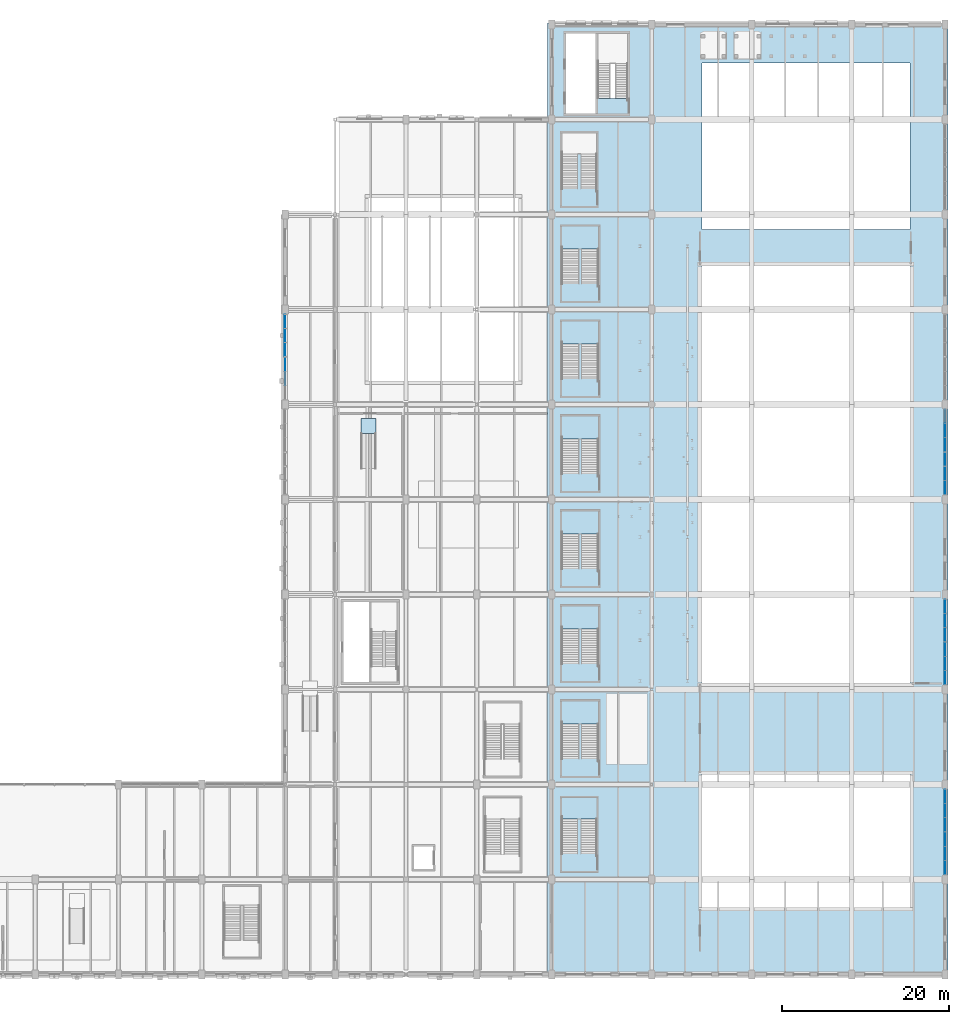
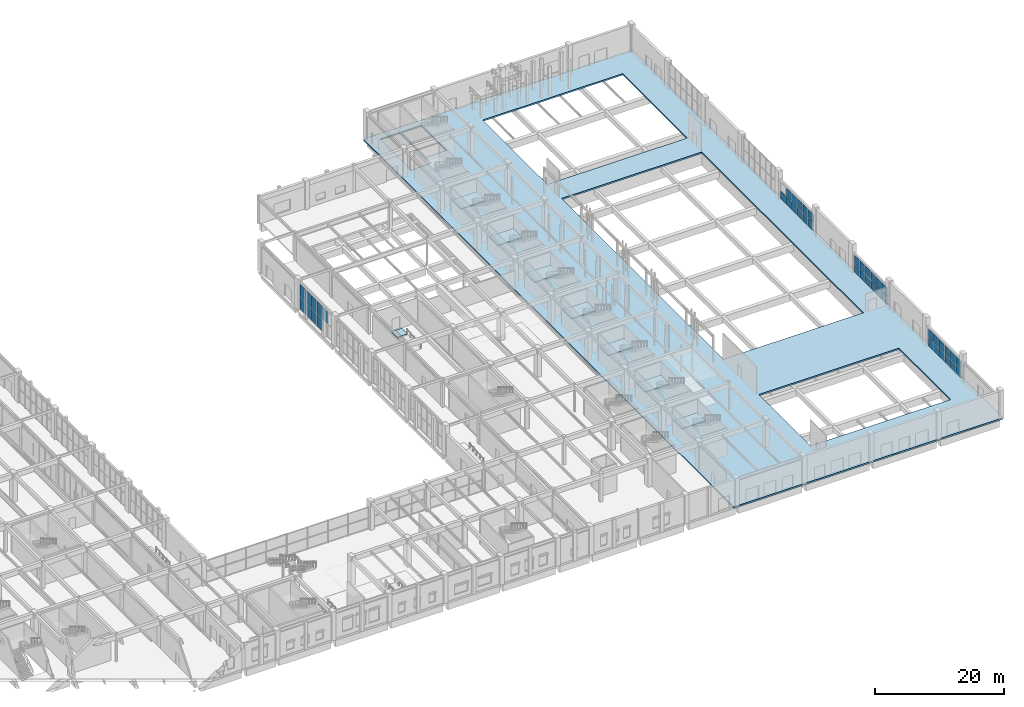
# One storey, part 77 of 113: 44 plates, 9 slabs, 15 elements without a shape of their own.
"""IFC4 building model written with IfcOpenShell, lengths in metres."""

import ifcopenshell
import ifcopenshell.guid

model = None  # the IFC model being written
_history = None  # IfcOwnerHistory: only IFC2X3 demands one
_inside = {}  # id of a spatial element -> (the spatial element, [elements in it])
_under = {}  # id of a project, library or spatial element -> (it, [spatial elements below it])
_declared = {}  # id of a project -> (the project, [libraries it declares])
_typed = {}  # id of a type object -> (the type object, [elements of that type])
_made_of = {}  # id of a material, layer set ... -> (it, [elements and type objects made of it])


def new_model(schema):
    """Start an empty IFC model of exactly this schema.

    Asked for "IFC4X3", IfcOpenShell would pick the latest addendum, in which some entities
    have other attributes; the version numbers below select the first issue.
    IFC2X3 requires an IfcOwnerHistory on every rooted entity: one is made here for all.
    """
    global model, _history
    if schema == "IFC4X3":
        model = ifcopenshell.file(schema_version=(4, 3, 0, 0))
    else:
        model = ifcopenshell.file(schema=schema)
    _inside.clear()
    _under.clear()
    _declared.clear()
    _typed.clear()
    _made_of.clear()
    _history = None
    if model.schema == "IFC2X3":
        org = make("IfcOrganization", Name="unknown")
        user = make(
            "IfcPersonAndOrganization",
            ThePerson=make("IfcPerson", FamilyName="unknown"),
            TheOrganization=org,
        )
        app = make(
            "IfcApplication",
            ApplicationDeveloper=org,
            Version="unknown",
            ApplicationFullName="unknown",
            ApplicationIdentifier="unknown",
        )
        _history = make(
            "IfcOwnerHistory",
            OwningUser=user,
            OwningApplication=app,
            ChangeAction="ADDED",
            CreationDate=0,
        )
    return model


def make(cls, **values):
    """One entity of the class cls with the attributes given. An attribute that is None is left unset."""
    return model.create_entity(
        cls, **{name: value for name, value in values.items() if value is not None}
    )


def rooted(cls, **values):
    """An entity with a GlobalId (a new one), such as an element, a storey or a relation."""
    return make(cls, GlobalId=ifcopenshell.guid.new(), OwnerHistory=_history, **values)


def si_unit(unit_type, name, prefix=None):
    """IfcSIUnit, for example si_unit("LENGTHUNIT", "METRE", prefix="MILLI")."""
    return make("IfcSIUnit", UnitType=unit_type, Prefix=prefix, Name=name)


def assignment(units):
    """IfcUnitAssignment: the units of a project."""
    return None if units is None else make("IfcUnitAssignment", Units=units)


def point(xyz):
    """IfcCartesianPoint."""
    return None if xyz is None else make("IfcCartesianPoint", Coordinates=xyz)


def direction(xyz):
    """IfcDirection."""
    return None if xyz is None else make("IfcDirection", DirectionRatios=xyz)


def frame(location, z_axis=None, x_axis=None):
    """IfcAxis2Placement3D, a coordinate frame: its origin and axes. An axis left out is left unset."""
    return make(
        "IfcAxis2Placement3D",
        Location=point(location),
        Axis=direction(z_axis),
        RefDirection=direction(x_axis),
    )


def frame_2d(location, x_axis=None):
    """IfcAxis2Placement2D, a coordinate frame in the plane: its origin and x axis."""
    return make(
        "IfcAxis2Placement2D", Location=point(location), RefDirection=direction(x_axis)
    )


def origin():
    """The frame at (0, 0, 0) with its axes left unset."""
    return frame((0.0, 0.0, 0.0))


def origin_2d():
    """The frame at (0, 0) in the plane with its x axis left unset."""
    return frame_2d((0.0, 0.0))


def place(relative_to, where):
    """IfcLocalPlacement: puts the frame where relative to a parent placement (None: the world)."""
    return make(
        "IfcLocalPlacement", PlacementRelTo=relative_to, RelativePlacement=where
    )


def context(
    kind, dimensions, precision=None, world=None, true_north=None, identifier=None
):
    """IfcGeometricRepresentationContext, for example the 3D "Model" context."""
    return make(
        "IfcGeometricRepresentationContext",
        ContextIdentifier=identifier,
        ContextType=kind,
        CoordinateSpaceDimension=dimensions,
        Precision=precision,
        WorldCoordinateSystem=world,
        TrueNorth=true_north,
    )


def subcontext(parent, identifier, kind, view, scale=None):
    """IfcGeometricRepresentationSubContext, for example "Body" below "Model"."""
    return make(
        "IfcGeometricRepresentationSubContext",
        ContextIdentifier=identifier,
        ContextType=kind,
        ParentContext=parent,
        TargetScale=scale,
        TargetView=view,
    )


def project(units=None, contexts=None):
    """IfcProject with its units and contexts."""
    return rooted(
        "IfcProject",
        Name="project",
        RepresentationContexts=contexts,
        UnitsInContext=assignment(units),
    )


def spatial(cls, under=None, at=None, **own):
    """A site, building, storey or space (cls), placed at a placement, below another one or the project."""
    s = rooted(cls, ObjectPlacement=at, **own)
    if under is not None:
        _under.setdefault(under.id(), (under, []))[1].append(s)
    return s


def polyline(points):
    """IfcPolyline through the points."""
    return make("IfcPolyline", Points=[point(p) for p in points])


def profile(cls, at=None, kind="AREA", **sizes):
    """A parametric profile (cls). Its sizes go by their IFC names, for example OverallWidth=200.0."""
    return make(cls, ProfileType=kind, Position=at, **sizes)


def rectangle(**sizes):
    """IfcRectangleProfileDef."""
    return profile("IfcRectangleProfileDef", **sizes)


def outline(outer, holes=None, kind="AREA"):
    """IfcArbitraryClosedProfileDef: a profile drawn as a closed curve; with holes, ...WithVoids."""
    if holes is None:
        return make("IfcArbitraryClosedProfileDef", ProfileType=kind, OuterCurve=outer)
    return make(
        "IfcArbitraryProfileDefWithVoids",
        ProfileType=kind,
        OuterCurve=outer,
        InnerCurves=holes,
    )


def extrude(swept, where, along, depth):
    """IfcExtrudedAreaSolid: the profile swept, set in the frame where, extruded along a direction by depth."""
    return make(
        "IfcExtrudedAreaSolid",
        SweptArea=swept,
        Position=where,
        ExtrudedDirection=direction(along),
        Depth=depth,
    )


def shape(context_of_items, identifier, shape_type, items):
    """IfcShapeRepresentation: the items that make up one representation, for example the "Body"."""
    return make(
        "IfcShapeRepresentation",
        ContextOfItems=context_of_items,
        RepresentationIdentifier=identifier,
        RepresentationType=shape_type,
        Items=items,
    )


def material(Name=None, Category=None):
    """IfcMaterial."""
    return make("IfcMaterial", Name=Name, Category=Category)


def layer(
    of_material, thickness, ventilated=None, Name=None, Category=None, Priority=None
):
    """IfcMaterialLayer: one layer of a wall or slab, of a material (None: an air gap)."""
    return make(
        "IfcMaterialLayer",
        Material=of_material,
        LayerThickness=thickness,
        IsVentilated=ventilated,
        Name=Name,
        Category=Category,
        Priority=Priority,
    )


def layer_set(layers, Name=None):
    """IfcMaterialLayerSet."""
    return make("IfcMaterialLayerSet", MaterialLayers=layers, LayerSetName=Name)


def made_of(thing, what):
    """Note that an element or type object is made of a material, layer set ...; save() writes the relation."""
    if what is not None:
        _made_of.setdefault(what.id(), (what, []))[1].append(thing)
    return thing


def type_object(cls, material=None, **own):
    """A type object (cls), such as IfcWallType, which elements share."""
    return made_of(rooted(cls, **own), material)


def element(
    cls,
    number,
    at=None,
    inside=None,
    cuts=None,
    type_object=None,
    material=None,
    context=None,
    identifier="Body",
    shape_type=None,
    held_by="IfcProductDefinitionShape",
    body=None,
    shapes=None,
    **own,
):
    """One element of the class cls, such as IfcWall. Its Tag is "e" and its number.

    at: its placement. inside: the storey or other place that contains it. cuts: it is an
    opening in that element (IfcRelVoidsElement). A single representation is given by context,
    identifier, shape_type and body (its items); several are given by shapes. held_by: the class
    of the entity that holds the representations. save() writes the other relations.
    """
    e = rooted(cls, Tag="e%d" % number, ObjectPlacement=at, **own)
    if body is not None:
        shapes = [shape(context, identifier, shape_type, body)]
    if shapes is not None:
        e.Representation = make(held_by, Representations=shapes)
    if inside is not None:
        _inside.setdefault(inside.id(), (inside, []))[1].append(e)
    if cuts is not None:
        rooted(
            "IfcRelVoidsElement", RelatingBuildingElement=cuts, RelatedOpeningElement=e
        )
    if type_object is not None:
        _typed.setdefault(type_object.id(), (type_object, []))[1].append(e)
    return made_of(e, material)


def aggregate(whole, parts):
    """IfcRelAggregates: a whole, such as a stair, and the parts it consists of."""
    return rooted("IfcRelAggregates", RelatingObject=whole, RelatedObjects=parts)


def save(model, path):
    """Write the relations noted so far, then the file.

    IfcRelAggregates (storeys below a building ...), IfcRelContainedInSpatialStructure (elements
    in a storey), IfcRelDefinesByType, IfcRelAssociatesMaterial and IfcRelDeclares: one each for
    every whole, place, type object, material and project.
    """
    for whole, parts in _under.values():
        aggregate(whole, parts)
    for where, things in _inside.values():
        rooted(
            "IfcRelContainedInSpatialStructure",
            RelatedElements=things,
            RelatingStructure=where,
        )
    for kind, things in _typed.values():
        rooted("IfcRelDefinesByType", RelatedObjects=things, RelatingType=kind)
    for what, things in _made_of.values():
        rooted("IfcRelAssociatesMaterial", RelatedObjects=things, RelatingMaterial=what)
    for by, libraries in _declared.values():
        rooted("IfcRelDeclares", RelatingContext=by, RelatedDefinitions=libraries)
    model.write(path)


model = new_model("IFC4")

# Units and contexts
model_context = context("Model", 3, precision=1e-05, world=origin(), true_north=direction((0.0, 1.0)))
body_context = subcontext(model_context, "Body", "Model", "MODEL_VIEW")
ifc_project = project(units=[si_unit("LENGTHUNIT", "METRE"), si_unit("AREAUNIT", "SQUARE_METRE"), si_unit("VOLUMEUNIT", "CUBIC_METRE"), si_unit("PLANEANGLEUNIT", "RADIAN"), si_unit("MASSUNIT", "GRAM", prefix="KILO"), si_unit("POWERUNIT", "WATT"), si_unit("THERMODYNAMICTEMPERATUREUNIT", "KELVIN")], contexts=[model_context])

# Site, building, storey
site_placement = place(None, origin())
site = spatial("IfcSite", under=ifc_project, at=site_placement, CompositionType="ELEMENT")
building_placement = place(site_placement, origin())
building = spatial("IfcBuilding", under=site, at=building_placement, Name="Kelmbourne Parkland Aquatics Centre", CompositionType="ELEMENT")
storey_placement = place(building_placement, origin())
storey = spatial("IfcBuildingStorey", under=building, at=storey_placement, Name="L00", CompositionType="ELEMENT", Elevation=0.0)

# Curtain wall, plates
ifc_material_1 = material(Name="Thermally broken anodised aluminium framing", Category="aluminium")
ifc_layer_1 = layer(ifc_material_1, 0.179931640625)
ifc_layer_set_1 = layer_set([ifc_layer_1], Name="Thermally broken anodised aluminium framing")
curtain_wall_type_1 = type_object("IfcCurtainWallType", Name="CW-15", PredefinedType="NOTDEFINED", material=ifc_layer_set_1)
curtain_wall_1_placement = place(storey_placement, origin())
curtain_wall_1 = element("IfcCurtainWall", 1, at=curtain_wall_1_placement, inside=storey, type_object=curtain_wall_type_1, Name="Facade curtain wall CW-L00-015", PredefinedType="NOTDEFINED")
ifc_material_2 = material(Name="Double-glazed low-e laminated safety glass", Category="glass")
ifc_layer_2 = layer(ifc_material_2, 0.02392578125)
ifc_layer_set_2 = layer_set([ifc_layer_2], Name="Double-glazed low-e laminated safety glass")
plate_type_1 = type_object("IfcPlateType", Name="PL-CWP-1", PredefinedType="CURTAIN_PANEL", material=ifc_layer_set_2)
plate_1_placement = place(storey_placement, frame((175.199951171875, 13.631591796875, 0.11669921875), z_axis=(0.0, 0.0, 1.0), x_axis=(0.0, 1.0, 0.0)))
plate_1 = element("IfcPlate", 2, at=plate_1_placement, type_object=plate_type_1, Name="CW-L00-015 vision glazing 0-0", PredefinedType="CURTAIN_PANEL", context=body_context, shape_type="SweptSolid", body=[
    extrude(rectangle(XDim=1.641357421875, YDim=0.02392578125, at=origin_2d()), origin(), (0.0, 0.0, 1.0), 1.571533203125),
])
plate_2_placement = place(storey_placement, frame((175.199951171875, 15.325927734375, 0.11669921875), z_axis=(0.0, 0.0, 1.0), x_axis=(0.0, 1.0, 0.0)))
plate_2 = element("IfcPlate", 3, at=plate_2_placement, type_object=plate_type_1, Name="CW-L00-015 vision glazing 0-1", PredefinedType="CURTAIN_PANEL", context=body_context, shape_type="SweptSolid", body=[
    extrude(rectangle(XDim=1.641357421875, YDim=0.02392578125, at=origin_2d()), origin(), (0.0, 0.0, 1.0), 1.571533203125),
])
plate_3_placement = place(storey_placement, frame((175.199951171875, 17.0205078125, 0.11669921875), z_axis=(0.0, 0.0, 1.0), x_axis=(0.0, 1.0, 0.0)))
plate_3 = element("IfcPlate", 4, at=plate_3_placement, type_object=plate_type_1, Name="CW-L00-015 vision glazing 0-2", PredefinedType="CURTAIN_PANEL", context=body_context, shape_type="SweptSolid", body=[
    extrude(rectangle(XDim=1.641357421875, YDim=0.02392578125, at=origin_2d()), origin(), (0.0, 0.0, 1.0), 1.571533203125),
])

ifc_layer_3 = layer(ifc_material_1, 0.179931640625)
ifc_layer_set_3 = layer_set([ifc_layer_3], Name="Thermally broken anodised aluminium framing")
curtain_wall_type_2 = type_object("IfcCurtainWallType", Name="CW-14", PredefinedType="NOTDEFINED", material=ifc_layer_set_3)
curtain_wall_2_placement = place(storey_placement, origin())
curtain_wall_2 = element("IfcCurtainWall", 5, at=curtain_wall_2_placement, inside=storey, type_object=curtain_wall_type_2, Name="Facade curtain wall CW-L00-038", PredefinedType="NOTDEFINED")
plate_4_placement = place(storey_placement, frame((175.199951171875, 41.589599609375, 1.8388671875), z_axis=(0.0, 0.0, 1.0), x_axis=(0.0, 1.0, 0.0)))
plate_4 = element("IfcPlate", 6, at=plate_4_placement, type_object=plate_type_1, Name="CW-L00-038 vision glazing 1-0", PredefinedType="CURTAIN_PANEL", context=body_context, shape_type="SweptSolid", body=[
    extrude(rectangle(XDim=1.601318359375, YDim=0.02392578125, at=origin_2d()), origin(), (0.0, 0.0, 1.0), 1.493896484375),
])
plate_5_placement = place(storey_placement, frame((175.199951171875, 43.27392578125, 1.8388671875), z_axis=(0.0, 0.0, 1.0), x_axis=(0.0, 1.0, 0.0)))
plate_5 = element("IfcPlate", 7, at=plate_5_placement, type_object=plate_type_1, Name="CW-L00-038 vision glazing 1-1", PredefinedType="CURTAIN_PANEL", context=body_context, shape_type="SweptSolid", body=[
    extrude(rectangle(XDim=1.601318359375, YDim=0.02392578125, at=origin_2d()), origin(), (0.0, 0.0, 1.0), 1.493896484375),
])
plate_6_placement = place(storey_placement, frame((175.199951171875, 44.95849609375, 1.8388671875), z_axis=(0.0, 0.0, 1.0), x_axis=(0.0, 1.0, 0.0)))
plate_6 = element("IfcPlate", 8, at=plate_6_placement, type_object=plate_type_1, Name="CW-L00-038 vision glazing 1-2", PredefinedType="CURTAIN_PANEL", context=body_context, shape_type="SweptSolid", body=[
    extrude(rectangle(XDim=1.601318359375, YDim=0.02392578125, at=origin_2d()), origin(), (0.0, 0.0, 1.0), 1.493896484375),
])

ifc_layer_4 = layer(ifc_material_1, 0.179931640625)
ifc_layer_set_4 = layer_set([ifc_layer_4], Name="Thermally broken anodised aluminium framing")
curtain_wall_type_3 = type_object("IfcCurtainWallType", Name="CW-02", PredefinedType="NOTDEFINED", material=ifc_layer_set_4)
curtain_wall_3_placement = place(storey_placement, origin())
curtain_wall_3 = element("IfcCurtainWall", 9, at=curtain_wall_3_placement, inside=storey, type_object=curtain_wall_type_3, Name="Facade curtain wall CW-L00-050", PredefinedType="NOTDEFINED")
plate_7_placement = place(storey_placement, frame((175.199951171875, 64.379638671875, 1.82666015625), z_axis=(0.0, 0.0, 1.0), x_axis=(0.0, 1.0, 0.0)))
plate_7 = element("IfcPlate", 10, at=plate_7_placement, type_object=plate_type_1, Name="CW-L00-050 vision glazing 1-0", PredefinedType="CURTAIN_PANEL", context=body_context, shape_type="SweptSolid", body=[
    extrude(rectangle(XDim=1.641357421875, YDim=0.02392578125, at=origin_2d()), origin(), (0.0, 0.0, 1.0), 1.4814453125),
])
plate_8_placement = place(storey_placement, frame((175.199951171875, 66.073974609375, 1.82666015625), z_axis=(0.0, 0.0, 1.0), x_axis=(0.0, 1.0, 0.0)))
plate_8 = element("IfcPlate", 11, at=plate_8_placement, type_object=plate_type_1, Name="CW-L00-050 vision glazing 1-1", PredefinedType="CURTAIN_PANEL", context=body_context, shape_type="SweptSolid", body=[
    extrude(rectangle(XDim=1.641357421875, YDim=0.02392578125, at=origin_2d()), origin(), (0.0, 0.0, 1.0), 1.4814453125),
])

# Curtain wall, plate
ifc_layer_5 = layer(ifc_material_1, 0.179931640625)
ifc_layer_set_5 = layer_set([ifc_layer_5], Name="Thermally broken anodised aluminium framing")
curtain_wall_type_4 = type_object("IfcCurtainWallType", Name="CW-18", PredefinedType="NOTDEFINED", material=ifc_layer_set_5)
curtain_wall_4_placement = place(storey_placement, origin())
curtain_wall_4 = element("IfcCurtainWall", 12, at=curtain_wall_4_placement, inside=storey, type_object=curtain_wall_type_4, Name="Facade curtain wall CW-L00-186", PredefinedType="NOTDEFINED")
plate_9_placement = place(storey_placement, frame((96.0, 74.01708984375, 0.1171875), z_axis=(0.0, 0.0, 1.0), x_axis=(0.0, 1.0, 0.0)))
plate_9 = element("IfcPlate", 13, at=plate_9_placement, type_object=plate_type_1, Name="CW-L00-186 vision glazing 0-2", PredefinedType="CURTAIN_PANEL", context=body_context, shape_type="SweptSolid", body=[
    extrude(rectangle(XDim=1.6279296875, YDim=0.02392578125, at=origin_2d()), origin(), (0.0, 0.0, 1.0), 2.304931640625),
])

# Plate
ifc_layer_6 = layer(ifc_material_2, 0.035888671875)
ifc_layer_set_6 = layer_set([ifc_layer_6], Name="Double-glazed low-e laminated safety glass")
plate_type_2 = type_object("IfcPlateType", Name="PL-CWP-2", PredefinedType="CURTAIN_PANEL", material=ifc_layer_set_6)
plate_10_placement = place(storey_placement, frame((175.199951171875, 13.631591796875, 1.79638671875), z_axis=(0.0, 0.0, 1.0), x_axis=(0.0, 1.0, 0.0)))
plate_10 = element("IfcPlate", 14, at=plate_10_placement, type_object=plate_type_2, Name="CW-L00-015 vision glazing 1-0", PredefinedType="CURTAIN_PANEL", context=body_context, shape_type="SweptSolid", body=[
    extrude(rectangle(XDim=1.641357421875, YDim=0.035888671875, at=origin_2d()), origin(), (0.0, 0.0, 1.0), 1.571533203125),
])

plate_11_placement = place(storey_placement, frame((175.199951171875, 15.325927734375, 1.79638671875), z_axis=(0.0, 0.0, 1.0), x_axis=(0.0, 1.0, 0.0)))
plate_11 = element("IfcPlate", 15, at=plate_11_placement, type_object=plate_type_2, Name="CW-L00-015 vision glazing 1-1", PredefinedType="CURTAIN_PANEL", context=body_context, shape_type="SweptSolid", body=[
    extrude(rectangle(XDim=1.641357421875, YDim=0.035888671875, at=origin_2d()), origin(), (0.0, 0.0, 1.0), 1.571533203125),
])

plate_12_placement = place(storey_placement, frame((175.199951171875, 17.0205078125, 1.79638671875), z_axis=(0.0, 0.0, 1.0), x_axis=(0.0, 1.0, 0.0)))
plate_12 = element("IfcPlate", 16, at=plate_12_placement, type_object=plate_type_2, Name="CW-L00-015 vision glazing 1-2", PredefinedType="CURTAIN_PANEL", context=body_context, shape_type="SweptSolid", body=[
    extrude(rectangle(XDim=1.641357421875, YDim=0.035888671875, at=origin_2d()), origin(), (0.0, 0.0, 1.0), 1.571533203125),
])

aggregate(curtain_wall_1, [plate_1, plate_2, plate_3, plate_10, plate_11, plate_12])

# Curtain wall, plates
ifc_layer_7 = layer(ifc_material_1, 0.179931640625)
ifc_layer_set_7 = layer_set([ifc_layer_7], Name="Thermally broken anodised aluminium framing")
curtain_wall_type_5 = type_object("IfcCurtainWallType", Name="CW-16", PredefinedType="NOTDEFINED", material=ifc_layer_set_7)
curtain_wall_5_placement = place(storey_placement, origin())
curtain_wall_5 = element("IfcCurtainWall", 17, at=curtain_wall_5_placement, inside=storey, type_object=curtain_wall_type_5, Name="Facade curtain wall CW-L00-016", PredefinedType="NOTDEFINED")
plate_13_placement = place(storey_placement, frame((175.199951171875, 18.782958984375, 0.14697265625), z_axis=(0.0, 0.0, 1.0), x_axis=(0.0, 1.0, 0.0)))
plate_13 = element("IfcPlate", 18, at=plate_13_placement, type_object=plate_type_2, Name="CW-L00-016 vision glazing 0-0", PredefinedType="CURTAIN_PANEL", context=body_context, shape_type="SweptSolid", body=[
    extrude(rectangle(XDim=1.6279296875, YDim=0.035888671875, at=origin_2d()), origin(), (0.0, 0.0, 1.0), 1.526611328125),
])
plate_14_placement = place(storey_placement, frame((175.199951171875, 20.47412109375, 0.14697265625), z_axis=(0.0, 0.0, 1.0), x_axis=(0.0, 1.0, 0.0)))
plate_14 = element("IfcPlate", 19, at=plate_14_placement, type_object=plate_type_2, Name="CW-L00-016 vision glazing 0-1", PredefinedType="CURTAIN_PANEL", context=body_context, shape_type="SweptSolid", body=[
    extrude(rectangle(XDim=1.6279296875, YDim=0.035888671875, at=origin_2d()), origin(), (0.0, 0.0, 1.0), 1.526611328125),
])
plate_15_placement = place(storey_placement, frame((175.199951171875, 22.1650390625, 0.14697265625), z_axis=(0.0, 0.0, 1.0), x_axis=(0.0, 1.0, 0.0)))
plate_15 = element("IfcPlate", 20, at=plate_15_placement, type_object=plate_type_2, Name="CW-L00-016 vision glazing 0-2", PredefinedType="CURTAIN_PANEL", context=body_context, shape_type="SweptSolid", body=[
    extrude(rectangle(XDim=1.6279296875, YDim=0.035888671875, at=origin_2d()), origin(), (0.0, 0.0, 1.0), 1.526611328125),
])

ifc_layer_8 = layer(ifc_material_1, 0.179931640625)
ifc_layer_set_8 = layer_set([ifc_layer_8], Name="Thermally broken anodised aluminium framing")
curtain_wall_type_6 = type_object("IfcCurtainWallType", Name="CW-13", PredefinedType="NOTDEFINED", material=ifc_layer_set_8)
curtain_wall_6_placement = place(storey_placement, origin())
curtain_wall_6 = element("IfcCurtainWall", 21, at=curtain_wall_6_placement, inside=storey, type_object=curtain_wall_type_6, Name="Facade curtain wall CW-L00-037", PredefinedType="NOTDEFINED")
plate_16_placement = place(storey_placement, frame((175.199951171875, 36.438232421875, 0.14697265625), z_axis=(0.0, 0.0, 1.0), x_axis=(0.0, 1.0, 0.0)))
plate_16 = element("IfcPlate", 22, at=plate_16_placement, type_object=plate_type_2, Name="CW-L00-037 vision glazing 0-0", PredefinedType="CURTAIN_PANEL", context=body_context, shape_type="SweptSolid", body=[
    extrude(rectangle(XDim=1.61474609375, YDim=0.035888671875, at=origin_2d()), origin(), (0.0, 0.0, 1.0), 1.5390625),
])
plate_17_placement = place(storey_placement, frame((175.199951171875, 38.1259765625, 0.14697265625), z_axis=(0.0, 0.0, 1.0), x_axis=(0.0, 1.0, 0.0)))
plate_17 = element("IfcPlate", 23, at=plate_17_placement, type_object=plate_type_2, Name="CW-L00-037 vision glazing 0-1", PredefinedType="CURTAIN_PANEL", context=body_context, shape_type="SweptSolid", body=[
    extrude(rectangle(XDim=1.614501953125, YDim=0.035888671875, at=origin_2d()), origin(), (0.0, 0.0, 1.0), 1.5390625),
])
plate_18_placement = place(storey_placement, frame((175.199951171875, 39.813720703125, 0.14697265625), z_axis=(0.0, 0.0, 1.0), x_axis=(0.0, 1.0, 0.0)))
plate_18 = element("IfcPlate", 24, at=plate_18_placement, type_object=plate_type_2, Name="CW-L00-037 vision glazing 0-2", PredefinedType="CURTAIN_PANEL", context=body_context, shape_type="SweptSolid", body=[
    extrude(rectangle(XDim=1.61474609375, YDim=0.035888671875, at=origin_2d()), origin(), (0.0, 0.0, 1.0), 1.5390625),
])

ifc_layer_9 = layer(ifc_material_1, 0.179931640625)
ifc_layer_set_9 = layer_set([ifc_layer_9], Name="Thermally broken anodised aluminium framing")
curtain_wall_type_7 = type_object("IfcCurtainWallType", Name="CW-01", PredefinedType="NOTDEFINED", material=ifc_layer_set_9)
curtain_wall_7_placement = place(storey_placement, origin())
curtain_wall_7 = element("IfcCurtainWall", 25, at=curtain_wall_7_placement, inside=storey, type_object=curtain_wall_type_7, Name="Facade curtain wall CW-L00-049", PredefinedType="NOTDEFINED")
plate_19_placement = place(storey_placement, frame((175.199951171875, 59.2451171875, 0.14697265625), z_axis=(0.0, 0.0, 1.0), x_axis=(0.0, 1.0, 0.0)))
plate_19 = element("IfcPlate", 26, at=plate_19_placement, type_object=plate_type_2, Name="CW-L00-049 vision glazing 0-0", PredefinedType="CURTAIN_PANEL", context=body_context, shape_type="SweptSolid", body=[
    extrude(rectangle(XDim=1.587890625, YDim=0.035888671875, at=origin_2d()), origin(), (0.0, 0.0, 1.0), 1.526611328125),
])
plate_20_placement = place(storey_placement, frame((175.199951171875, 60.926025390625, 0.14697265625), z_axis=(0.0, 0.0, 1.0), x_axis=(0.0, 1.0, 0.0)))
plate_20 = element("IfcPlate", 27, at=plate_20_placement, type_object=plate_type_2, Name="CW-L00-049 vision glazing 0-1", PredefinedType="CURTAIN_PANEL", context=body_context, shape_type="SweptSolid", body=[
    extrude(rectangle(XDim=1.587890625, YDim=0.035888671875, at=origin_2d()), origin(), (0.0, 0.0, 1.0), 1.526611328125),
])
plate_21_placement = place(storey_placement, frame((175.199951171875, 62.60693359375, 0.14697265625), z_axis=(0.0, 0.0, 1.0), x_axis=(0.0, 1.0, 0.0)))
plate_21 = element("IfcPlate", 28, at=plate_21_placement, type_object=plate_type_2, Name="CW-L00-049 vision glazing 0-2", PredefinedType="CURTAIN_PANEL", context=body_context, shape_type="SweptSolid", body=[
    extrude(rectangle(XDim=1.587890625, YDim=0.035888671875, at=origin_2d()), origin(), (0.0, 0.0, 1.0), 1.526611328125),
])

# Plate
plate_22_placement = place(storey_placement, frame((96.0, 72.325927734375, 2.5302734375), z_axis=(0.0, 0.0, 1.0), x_axis=(0.0, 1.0, 0.0)))
plate_22 = element("IfcPlate", 29, at=plate_22_placement, type_object=plate_type_2, Name="CW-L00-186 vision glazing 1-1", PredefinedType="CURTAIN_PANEL", context=body_context, shape_type="SweptSolid", body=[
    extrude(rectangle(XDim=1.6279296875, YDim=0.035888671875, at=origin_2d()), origin(), (0.0, 0.0, 1.0), 2.304931640625),
])

plate_23_placement = place(storey_placement, frame((96.0, 74.01708984375, 2.5302734375), z_axis=(0.0, 0.0, 1.0), x_axis=(0.0, 1.0, 0.0)))
plate_23 = element("IfcPlate", 30, at=plate_23_placement, type_object=plate_type_2, Name="CW-L00-186 vision glazing 1-2", PredefinedType="CURTAIN_PANEL", context=body_context, shape_type="SweptSolid", body=[
    extrude(rectangle(XDim=1.6279296875, YDim=0.035888671875, at=origin_2d()), origin(), (0.0, 0.0, 1.0), 2.304931640625),
])

aggregate(curtain_wall_4, [plate_9, plate_22, plate_23])

# Curtain wall, plates
ifc_layer_10 = layer(ifc_material_1, 0.179931640625)
ifc_layer_set_10 = layer_set([ifc_layer_10], Name="Thermally broken anodised aluminium framing")
curtain_wall_type_8 = type_object("IfcCurtainWallType", Name="CW-19", PredefinedType="NOTDEFINED", material=ifc_layer_set_10)
curtain_wall_8_placement = place(storey_placement, origin())
curtain_wall_8 = element("IfcCurtainWall", 31, at=curtain_wall_8_placement, inside=storey, type_object=curtain_wall_type_8, Name="Facade curtain wall CW-L00-187", PredefinedType="NOTDEFINED")
plate_24_placement = place(storey_placement, frame((96.0, 75.786376953125, 0.14697265625), z_axis=(0.0, 0.0, 1.0), x_axis=(0.0, 1.0, 0.0)))
plate_24 = element("IfcPlate", 32, at=plate_24_placement, type_object=plate_type_2, Name="CW-L00-187 vision glazing 0-0", PredefinedType="CURTAIN_PANEL", context=body_context, shape_type="SweptSolid", body=[
    extrude(rectangle(XDim=1.61474609375, YDim=0.035888671875, at=origin_2d()), origin(), (0.0, 0.0, 1.0), 2.260009765625),
])
plate_25_placement = place(storey_placement, frame((96.0, 77.47412109375, 0.14697265625), z_axis=(0.0, 0.0, 1.0), x_axis=(0.0, 1.0, 0.0)))
plate_25 = element("IfcPlate", 33, at=plate_25_placement, type_object=plate_type_2, Name="CW-L00-187 vision glazing 0-1", PredefinedType="CURTAIN_PANEL", context=body_context, shape_type="SweptSolid", body=[
    extrude(rectangle(XDim=1.614501953125, YDim=0.035888671875, at=origin_2d()), origin(), (0.0, 0.0, 1.0), 2.260009765625),
])
plate_26_placement = place(storey_placement, frame((96.0, 79.16162109375, 0.14697265625), z_axis=(0.0, 0.0, 1.0), x_axis=(0.0, 1.0, 0.0)))
plate_26 = element("IfcPlate", 34, at=plate_26_placement, type_object=plate_type_2, Name="CW-L00-187 vision glazing 0-2", PredefinedType="CURTAIN_PANEL", context=body_context, shape_type="SweptSolid", body=[
    extrude(rectangle(XDim=1.61474609375, YDim=0.035888671875, at=origin_2d()), origin(), (0.0, 0.0, 1.0), 2.260009765625),
])

# Plate
ifc_layer_11 = layer(ifc_material_2, 0.048095703125)
ifc_layer_set_11 = layer_set([ifc_layer_11], Name="Double-glazed low-e laminated safety glass")
plate_type_3 = type_object("IfcPlateType", Name="PL-CWP-3", PredefinedType="CURTAIN_PANEL", material=ifc_layer_set_11)
plate_27_placement = place(storey_placement, frame((175.199951171875, 18.782958984375, 1.8115234375), z_axis=(0.0, 0.0, 1.0), x_axis=(0.0, 1.0, 0.0)))
plate_27 = element("IfcPlate", 35, at=plate_27_placement, type_object=plate_type_3, Name="CW-L00-016 vision glazing 1-0", PredefinedType="CURTAIN_PANEL", context=body_context, shape_type="SweptSolid", body=[
    extrude(rectangle(XDim=1.6279296875, YDim=0.048095703125, at=origin_2d()), origin(), (0.0, 0.0, 1.0), 1.526611328125),
])

plate_28_placement = place(storey_placement, frame((175.199951171875, 20.47412109375, 1.8115234375), z_axis=(0.0, 0.0, 1.0), x_axis=(0.0, 1.0, 0.0)))
plate_28 = element("IfcPlate", 36, at=plate_28_placement, type_object=plate_type_3, Name="CW-L00-016 vision glazing 1-1", PredefinedType="CURTAIN_PANEL", context=body_context, shape_type="SweptSolid", body=[
    extrude(rectangle(XDim=1.6279296875, YDim=0.048095703125, at=origin_2d()), origin(), (0.0, 0.0, 1.0), 1.526611328125),
])

plate_29_placement = place(storey_placement, frame((175.199951171875, 22.1650390625, 1.8115234375), z_axis=(0.0, 0.0, 1.0), x_axis=(0.0, 1.0, 0.0)))
plate_29 = element("IfcPlate", 37, at=plate_29_placement, type_object=plate_type_3, Name="CW-L00-016 vision glazing 1-2", PredefinedType="CURTAIN_PANEL", context=body_context, shape_type="SweptSolid", body=[
    extrude(rectangle(XDim=1.6279296875, YDim=0.048095703125, at=origin_2d()), origin(), (0.0, 0.0, 1.0), 1.526611328125),
])

aggregate(curtain_wall_5, [plate_13, plate_14, plate_15, plate_27, plate_28, plate_29])

plate_30_placement = place(storey_placement, frame((175.199951171875, 36.438232421875, 1.823974609375), z_axis=(0.0, 0.0, 1.0), x_axis=(0.0, 1.0, 0.0)))
plate_30 = element("IfcPlate", 38, at=plate_30_placement, type_object=plate_type_3, Name="CW-L00-037 vision glazing 1-0", PredefinedType="CURTAIN_PANEL", context=body_context, shape_type="SweptSolid", body=[
    extrude(rectangle(XDim=1.61474609375, YDim=0.048095703125, at=origin_2d()), origin(), (0.0, 0.0, 1.0), 1.5390625),
])

plate_31_placement = place(storey_placement, frame((175.199951171875, 38.1259765625, 1.823974609375), z_axis=(0.0, 0.0, 1.0), x_axis=(0.0, 1.0, 0.0)))
plate_31 = element("IfcPlate", 39, at=plate_31_placement, type_object=plate_type_3, Name="CW-L00-037 vision glazing 1-1", PredefinedType="CURTAIN_PANEL", context=body_context, shape_type="SweptSolid", body=[
    extrude(rectangle(XDim=1.614501953125, YDim=0.048095703125, at=origin_2d()), origin(), (0.0, 0.0, 1.0), 1.5390625),
])

plate_32_placement = place(storey_placement, frame((175.199951171875, 39.813720703125, 1.823974609375), z_axis=(0.0, 0.0, 1.0), x_axis=(0.0, 1.0, 0.0)))
plate_32 = element("IfcPlate", 40, at=plate_32_placement, type_object=plate_type_3, Name="CW-L00-037 vision glazing 1-2", PredefinedType="CURTAIN_PANEL", context=body_context, shape_type="SweptSolid", body=[
    extrude(rectangle(XDim=1.61474609375, YDim=0.048095703125, at=origin_2d()), origin(), (0.0, 0.0, 1.0), 1.5390625),
])

aggregate(curtain_wall_6, [plate_16, plate_17, plate_18, plate_30, plate_31, plate_32])

plate_33_placement = place(storey_placement, frame((175.199951171875, 41.589599609375, 0.17724609375), z_axis=(0.0, 0.0, 1.0), x_axis=(0.0, 1.0, 0.0)))
plate_33 = element("IfcPlate", 41, at=plate_33_placement, type_object=plate_type_3, Name="CW-L00-038 vision glazing 0-0", PredefinedType="CURTAIN_PANEL", context=body_context, shape_type="SweptSolid", body=[
    extrude(rectangle(XDim=1.601318359375, YDim=0.048095703125, at=origin_2d()), origin(), (0.0, 0.0, 1.0), 1.493896484375),
])

plate_34_placement = place(storey_placement, frame((175.199951171875, 43.27392578125, 0.17724609375), z_axis=(0.0, 0.0, 1.0), x_axis=(0.0, 1.0, 0.0)))
plate_34 = element("IfcPlate", 42, at=plate_34_placement, type_object=plate_type_3, Name="CW-L00-038 vision glazing 0-1", PredefinedType="CURTAIN_PANEL", context=body_context, shape_type="SweptSolid", body=[
    extrude(rectangle(XDim=1.601318359375, YDim=0.048095703125, at=origin_2d()), origin(), (0.0, 0.0, 1.0), 1.493896484375),
])

plate_35_placement = place(storey_placement, frame((175.199951171875, 44.95849609375, 0.17724609375), z_axis=(0.0, 0.0, 1.0), x_axis=(0.0, 1.0, 0.0)))
plate_35 = element("IfcPlate", 43, at=plate_35_placement, type_object=plate_type_3, Name="CW-L00-038 vision glazing 0-2", PredefinedType="CURTAIN_PANEL", context=body_context, shape_type="SweptSolid", body=[
    extrude(rectangle(XDim=1.601318359375, YDim=0.048095703125, at=origin_2d()), origin(), (0.0, 0.0, 1.0), 1.493896484375),
])

aggregate(curtain_wall_2, [plate_33, plate_34, plate_35, plate_4, plate_5, plate_6])

plate_36_placement = place(storey_placement, frame((175.199951171875, 59.2451171875, 1.8115234375), z_axis=(0.0, 0.0, 1.0), x_axis=(0.0, 1.0, 0.0)))
plate_36 = element("IfcPlate", 44, at=plate_36_placement, type_object=plate_type_3, Name="CW-L00-049 vision glazing 1-0", PredefinedType="CURTAIN_PANEL", context=body_context, shape_type="SweptSolid", body=[
    extrude(rectangle(XDim=1.587890625, YDim=0.048095703125, at=origin_2d()), origin(), (0.0, 0.0, 1.0), 1.526611328125),
])

plate_37_placement = place(storey_placement, frame((175.199951171875, 60.926025390625, 1.8115234375), z_axis=(0.0, 0.0, 1.0), x_axis=(0.0, 1.0, 0.0)))
plate_37 = element("IfcPlate", 45, at=plate_37_placement, type_object=plate_type_3, Name="CW-L00-049 vision glazing 1-1", PredefinedType="CURTAIN_PANEL", context=body_context, shape_type="SweptSolid", body=[
    extrude(rectangle(XDim=1.587890625, YDim=0.048095703125, at=origin_2d()), origin(), (0.0, 0.0, 1.0), 1.526611328125),
])

plate_38_placement = place(storey_placement, frame((175.199951171875, 62.60693359375, 1.8115234375), z_axis=(0.0, 0.0, 1.0), x_axis=(0.0, 1.0, 0.0)))
plate_38 = element("IfcPlate", 46, at=plate_38_placement, type_object=plate_type_3, Name="CW-L00-049 vision glazing 1-2", PredefinedType="CURTAIN_PANEL", context=body_context, shape_type="SweptSolid", body=[
    extrude(rectangle(XDim=1.587890625, YDim=0.048095703125, at=origin_2d()), origin(), (0.0, 0.0, 1.0), 1.526611328125),
])

aggregate(curtain_wall_7, [plate_19, plate_20, plate_21, plate_36, plate_37, plate_38])

plate_39_placement = place(storey_placement, frame((175.199951171875, 64.379638671875, 0.177001953125), z_axis=(0.0, 0.0, 1.0), x_axis=(0.0, 1.0, 0.0)))
plate_39 = element("IfcPlate", 47, at=plate_39_placement, type_object=plate_type_3, Name="CW-L00-050 vision glazing 0-0", PredefinedType="CURTAIN_PANEL", context=body_context, shape_type="SweptSolid", body=[
    extrude(rectangle(XDim=1.641357421875, YDim=0.048095703125, at=origin_2d()), origin(), (0.0, 0.0, 1.0), 1.4814453125),
])

plate_40_placement = place(storey_placement, frame((175.199951171875, 66.073974609375, 0.177001953125), z_axis=(0.0, 0.0, 1.0), x_axis=(0.0, 1.0, 0.0)))
plate_40 = element("IfcPlate", 48, at=plate_40_placement, type_object=plate_type_3, Name="CW-L00-050 vision glazing 0-1", PredefinedType="CURTAIN_PANEL", context=body_context, shape_type="SweptSolid", body=[
    extrude(rectangle(XDim=1.641357421875, YDim=0.048095703125, at=origin_2d()), origin(), (0.0, 0.0, 1.0), 1.4814453125),
])

plate_41_placement = place(storey_placement, frame((175.199951171875, 67.768310546875, 0.177001953125), z_axis=(0.0, 0.0, 1.0), x_axis=(0.0, 1.0, 0.0)))
plate_41 = element("IfcPlate", 49, at=plate_41_placement, type_object=plate_type_3, Name="CW-L00-050 vision glazing 0-2", PredefinedType="CURTAIN_PANEL", context=body_context, shape_type="SweptSolid", body=[
    extrude(rectangle(XDim=1.641357421875, YDim=0.048095703125, at=origin_2d()), origin(), (0.0, 0.0, 1.0), 1.4814453125),
])

aggregate(curtain_wall_3, [plate_39, plate_40, plate_41, plate_7, plate_8])

plate_42_placement = place(storey_placement, frame((96.0, 75.786376953125, 2.544921875), z_axis=(0.0, 0.0, 1.0), x_axis=(0.0, 1.0, 0.0)))
plate_42 = element("IfcPlate", 50, at=plate_42_placement, type_object=plate_type_3, Name="CW-L00-187 vision glazing 1-0", PredefinedType="CURTAIN_PANEL", context=body_context, shape_type="SweptSolid", body=[
    extrude(rectangle(XDim=1.61474609375, YDim=0.048095703125, at=origin_2d()), origin(), (0.0, 0.0, 1.0), 2.260009765625),
])

plate_43_placement = place(storey_placement, frame((96.0, 77.47412109375, 2.544921875), z_axis=(0.0, 0.0, 1.0), x_axis=(0.0, 1.0, 0.0)))
plate_43 = element("IfcPlate", 51, at=plate_43_placement, type_object=plate_type_3, Name="CW-L00-187 vision glazing 1-1", PredefinedType="CURTAIN_PANEL", context=body_context, shape_type="SweptSolid", body=[
    extrude(rectangle(XDim=1.614501953125, YDim=0.048095703125, at=origin_2d()), origin(), (0.0, 0.0, 1.0), 2.260009765625),
])

plate_44_placement = place(storey_placement, frame((96.0, 79.16162109375, 2.544921875), z_axis=(0.0, 0.0, 1.0), x_axis=(0.0, 1.0, 0.0)))
plate_44 = element("IfcPlate", 52, at=plate_44_placement, type_object=plate_type_3, Name="CW-L00-187 vision glazing 1-2", PredefinedType="CURTAIN_PANEL", context=body_context, shape_type="SweptSolid", body=[
    extrude(rectangle(XDim=1.61474609375, YDim=0.048095703125, at=origin_2d()), origin(), (0.0, 0.0, 1.0), 2.260009765625),
])

aggregate(curtain_wall_8, [plate_24, plate_25, plate_26, plate_42, plate_43, plate_44])

# Slab
ifc_material_3 = material(Name="Concrete C40/50", Category="concrete")
ifc_layer_12 = layer(ifc_material_3, 0.280029296875)
ifc_layer_set_12 = layer_set([ifc_layer_12], Name="Concrete C40/50")
slab_type_1 = type_object("IfcSlabType", Name="SL-F1", PredefinedType="FLOOR", material=ifc_layer_set_12)
slab_1_placement = place(storey_placement, frame((0.0, 0.0, -0.280029296875)))
element("IfcSlab", 53, at=slab_1_placement, inside=storey, type_object=slab_type_1, Name="L00 Main natatorium wet deck and diving surround slab", PredefinedType="FLOOR", context=body_context, shape_type="SweptSolid", body=[
    extrude(outline(polyline([(127.47998046875, 0.5), (175.550048828125, 0.5), (175.550048828125, 115.0), (127.47998046875, 115.0), (127.47998046875, 0.5)]), holes=[polyline([(146.0, 24.800048828125), (171.0, 24.800048828125), (171.0, 8.800048828125), (146.0, 8.800048828125), (146.0, 24.800048828125)]), polyline([(146.0, 85.800048828125), (171.0, 85.800048828125), (171.0, 35.800048828125), (146.0, 35.800048828125), (146.0, 85.800048828125)]), polyline([(146.0, 110.199951171875), (171.0, 110.199951171875), (171.0, 90.199951171875), (146.0, 90.199951171875), (146.0, 110.199951171875)]), polyline([(133.27490234375, 113.699951171875), (133.27490234375, 104.10009765625), (129.699951171875, 104.10009765625), (129.699951171875, 113.699951171875), (133.27490234375, 113.699951171875)]), polyline([(137.10009765625, 113.699951171875), (137.10009765625, 105.949951171875), (133.52490234375, 105.949951171875), (133.52490234375, 113.699951171875), (137.10009765625, 113.699951171875)])]), origin(), (0.0, 0.0, 1.0), 0.280029296875),
])

# Stair, slab
stair_type_1 = type_object("IfcStairType", Name="ST-T33", PredefinedType="HALF_TURN_STAIR", material=ifc_material_3)
stair_1_placement = place(storey_placement, origin())
stair_1 = element("IfcStair", 54, at=stair_1_placement, inside=storey, type_object=stair_type_1, Name="Main Bowl South Concourse Exit Stair (L00)", PredefinedType="HALF_TURN_STAIR")
ifc_layer_13 = layer(ifc_material_3, 0.199951171875)
ifc_layer_set_13 = layer_set([ifc_layer_13], Name="Concrete C40/50")
slab_type_2 = type_object("IfcSlabType", Name="SL-LND-20", PredefinedType="LANDING", material=ifc_layer_set_13)
slab_2_placement = place(storey_placement, frame((0.0, 0.0, 2.5)))
slab_2 = element("IfcSlab", 55, at=slab_2_placement, type_object=slab_type_2, Name="Main Bowl South Concourse Exit Stair half-landing (L00)", PredefinedType="LANDING", context=body_context, shape_type="SweptSolid", body=[
    extrude(outline(polyline([(129.179931640625, 19.449951171875), (133.419921875, 19.449951171875), (133.419921875, 22.02001953125), (129.179931640625, 22.02001953125), (129.179931640625, 19.449951171875)])), origin(), (0.0, 0.0, 1.0), 0.199951171875),
])
aggregate(stair_1, [slab_2])

stair_type_2 = type_object("IfcStairType", Name="ST-T41", PredefinedType="HALF_TURN_STAIR", material=ifc_material_3)
stair_2_placement = place(storey_placement, origin())
stair_2 = element("IfcStair", 56, at=stair_2_placement, inside=storey, type_object=stair_type_2, Name="Spectator Bowl Exit Stair Bay 3 (L00)", PredefinedType="HALF_TURN_STAIR")
slab_3_placement = place(storey_placement, frame((0.0, 0.0, 2.5)))
slab_3 = element("IfcSlab", 57, at=slab_3_placement, type_object=slab_type_2, Name="Spectator Bowl Exit Stair Bay 3 half-landing (L00)", PredefinedType="LANDING", context=body_context, shape_type="SweptSolid", body=[
    extrude(outline(polyline([(129.179931640625, 30.85009765625), (133.6201171875, 30.85009765625), (133.6201171875, 33.6201171875), (129.179931640625, 33.6201171875), (129.179931640625, 30.85009765625)])), origin(), (0.0, 0.0, 1.0), 0.199951171875),
])
aggregate(stair_2, [slab_3])

stair_type_3 = type_object("IfcStairType", Name="ST-T42", PredefinedType="HALF_TURN_STAIR", material=ifc_material_3)
stair_3_placement = place(storey_placement, origin())
stair_3 = element("IfcStair", 58, at=stair_3_placement, inside=storey, type_object=stair_type_3, Name="Spectator Bowl Exit Stair Bay 4 (L00)", PredefinedType="HALF_TURN_STAIR")
slab_4_placement = place(storey_placement, frame((0.0, 0.0, 2.5)))
slab_4 = element("IfcSlab", 59, at=slab_4_placement, type_object=slab_type_2, Name="Spectator Bowl Exit Stair Bay 4 half-landing (L00)", PredefinedType="LANDING", context=body_context, shape_type="SweptSolid", body=[
    extrude(outline(polyline([(129.179931640625, 42.25), (133.6201171875, 42.25), (133.6201171875, 45.02001953125), (129.179931640625, 45.02001953125), (129.179931640625, 42.25)])), origin(), (0.0, 0.0, 1.0), 0.199951171875),
])
aggregate(stair_3, [slab_4])

stair_type_4 = type_object("IfcStairType", Name="ST-T43", PredefinedType="HALF_TURN_STAIR", material=ifc_material_3)
stair_4_placement = place(storey_placement, origin())
stair_4 = element("IfcStair", 60, at=stair_4_placement, inside=storey, type_object=stair_type_4, Name="Spectator Bowl Exit Stair Bay 5 (L00)", PredefinedType="HALF_TURN_STAIR")
slab_5_placement = place(storey_placement, frame((0.0, 0.0, 2.5)))
slab_5 = element("IfcSlab", 61, at=slab_5_placement, type_object=slab_type_2, Name="Spectator Bowl Exit Stair Bay 5 half-landing (L00)", PredefinedType="LANDING", context=body_context, shape_type="SweptSolid", body=[
    extrude(outline(polyline([(129.179931640625, 53.64990234375), (133.6201171875, 53.64990234375), (133.6201171875, 56.419921875), (129.179931640625, 56.419921875), (129.179931640625, 53.64990234375)])), origin(), (0.0, 0.0, 1.0), 0.199951171875),
])
aggregate(stair_4, [slab_5])

stair_type_5 = type_object("IfcStairType", Name="ST-T44", PredefinedType="HALF_TURN_STAIR", material=ifc_material_3)
stair_5_placement = place(storey_placement, origin())
stair_5 = element("IfcStair", 62, at=stair_5_placement, inside=storey, type_object=stair_type_5, Name="Spectator Bowl Exit Stair Bay 6 (L00)", PredefinedType="HALF_TURN_STAIR")
slab_6_placement = place(storey_placement, frame((0.0, 0.0, 2.5)))
slab_6 = element("IfcSlab", 63, at=slab_6_placement, type_object=slab_type_2, Name="Spectator Bowl Exit Stair Bay 6 half-landing (L00)", PredefinedType="LANDING", context=body_context, shape_type="SweptSolid", body=[
    extrude(outline(polyline([(129.179931640625, 65.050048828125), (133.6201171875, 65.050048828125), (133.6201171875, 67.820068359375), (129.179931640625, 67.820068359375), (129.179931640625, 65.050048828125)])), origin(), (0.0, 0.0, 1.0), 0.199951171875),
])
aggregate(stair_5, [slab_6])

stair_type_6 = type_object("IfcStairType", Name="ST-T45", PredefinedType="HALF_TURN_STAIR", material=ifc_material_3)
stair_6_placement = place(storey_placement, origin())
stair_6 = element("IfcStair", 64, at=stair_6_placement, inside=storey, type_object=stair_type_6, Name="Spectator Bowl Exit Stair Bay 7 (L00)", PredefinedType="HALF_TURN_STAIR")
slab_7_placement = place(storey_placement, frame((0.0, 0.0, 2.5)))
slab_7 = element("IfcSlab", 65, at=slab_7_placement, type_object=slab_type_2, Name="Spectator Bowl Exit Stair Bay 7 half-landing (L00)", PredefinedType="LANDING", context=body_context, shape_type="SweptSolid", body=[
    extrude(outline(polyline([(129.179931640625, 76.449951171875), (133.6201171875, 76.449951171875), (133.6201171875, 79.219970703125), (129.179931640625, 79.219970703125), (129.179931640625, 76.449951171875)])), origin(), (0.0, 0.0, 1.0), 0.199951171875),
])
aggregate(stair_6, [slab_7])

stair_type_7 = type_object("IfcStairType", Name="ST-T46", PredefinedType="HALF_TURN_STAIR", material=ifc_material_3)
stair_7_placement = place(storey_placement, origin())
stair_7 = element("IfcStair", 66, at=stair_7_placement, inside=storey, type_object=stair_type_7, Name="Spectator Bowl Exit Stair Bay 8 (L00)", PredefinedType="HALF_TURN_STAIR")
slab_8_placement = place(storey_placement, frame((0.0, 0.0, 2.5)))
slab_8 = element("IfcSlab", 67, at=slab_8_placement, type_object=slab_type_2, Name="Spectator Bowl Exit Stair Bay 8 half-landing (L00)", PredefinedType="LANDING", context=body_context, shape_type="SweptSolid", body=[
    extrude(outline(polyline([(129.179931640625, 87.85009765625), (133.6201171875, 87.85009765625), (133.6201171875, 90.6201171875), (129.179931640625, 90.6201171875), (129.179931640625, 87.85009765625)])), origin(), (0.0, 0.0, 1.0), 0.199951171875),
])
aggregate(stair_7, [slab_8])

# Slab
slab_9_placement = place(storey_placement, frame((0.0, 0.0, 0.02001953125)))
element("IfcSlab", 68, at=slab_9_placement, inside=storey, type_object=slab_type_2, Name="Wet Deck Hydrotherapy Accessible Ramp upper plinth landing", PredefinedType="LANDING", context=body_context, shape_type="SweptSolid", body=[
    extrude(outline(polyline([(105.10009765625, 65.699951171875), (106.89990234375, 65.699951171875), (106.89990234375, 67.5), (105.10009765625, 67.5), (105.10009765625, 65.699951171875)])), origin(), (0.0, 0.0, 1.0), 0.280029296875),
])

save(model, "model.ifc")
